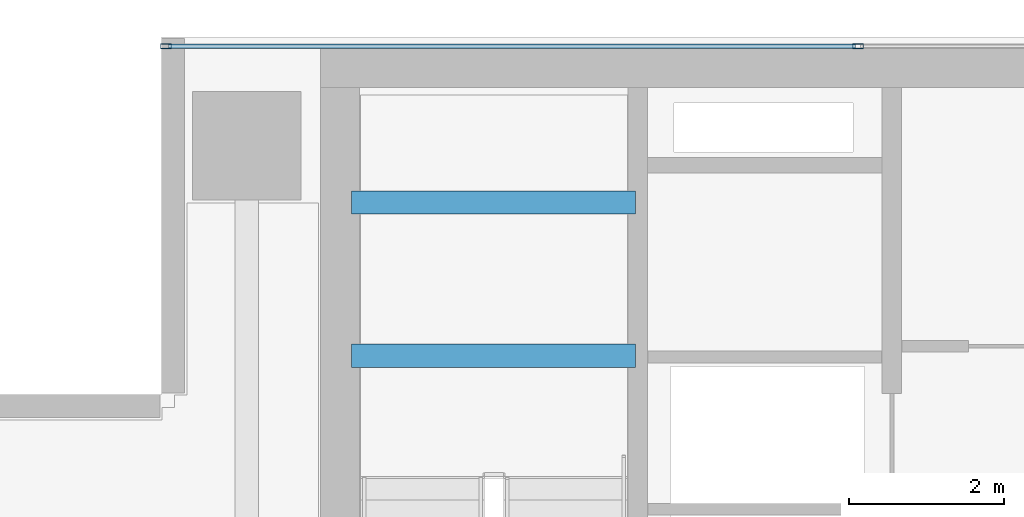
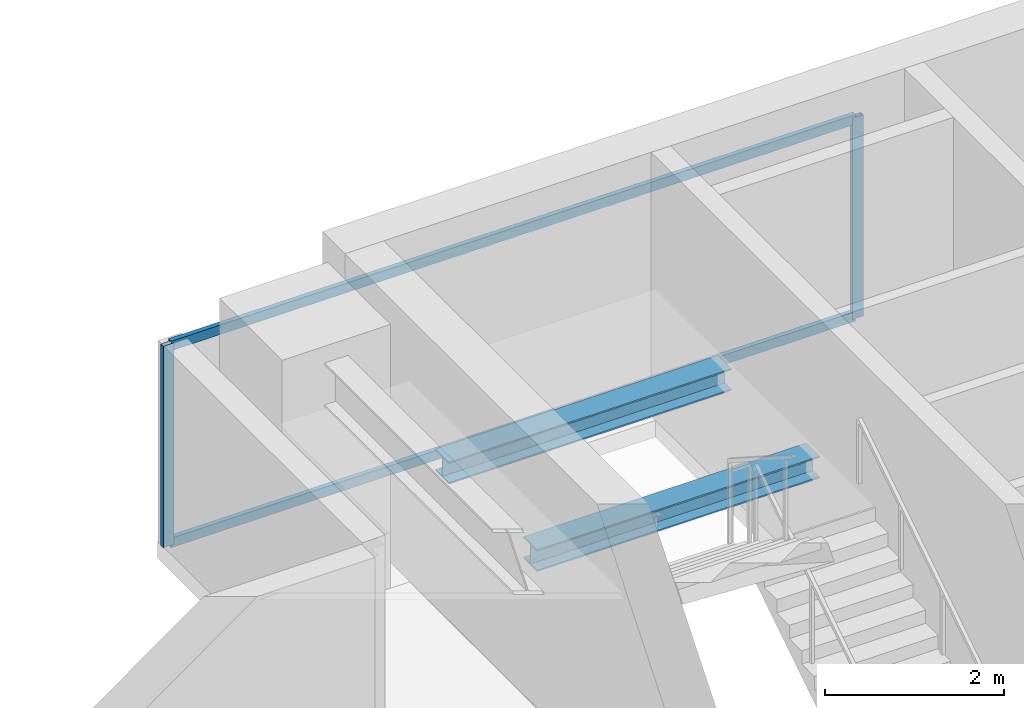
# One storey, part 15 of 26: 4 members, 2 beams, 1 element without a shape of its own.
"""IFC4 building model written with IfcOpenShell, lengths in metres."""

import ifcopenshell
import ifcopenshell.guid

model = None  # the IFC model being written
_history = None  # IfcOwnerHistory: only IFC2X3 demands one
_inside = {}  # id of a spatial element -> (the spatial element, [elements in it])
_under = {}  # id of a project, library or spatial element -> (it, [spatial elements below it])
_declared = {}  # id of a project -> (the project, [libraries it declares])
_typed = {}  # id of a type object -> (the type object, [elements of that type])
_made_of = {}  # id of a material, layer set ... -> (it, [elements and type objects made of it])


def new_model(schema):
    """Start an empty IFC model of exactly this schema.

    Asked for "IFC4X3", IfcOpenShell would pick the latest addendum, in which some entities
    have other attributes; the version numbers below select the first issue.
    IFC2X3 requires an IfcOwnerHistory on every rooted entity: one is made here for all.
    """
    global model, _history
    if schema == "IFC4X3":
        model = ifcopenshell.file(schema_version=(4, 3, 0, 0))
    else:
        model = ifcopenshell.file(schema=schema)
    _inside.clear()
    _under.clear()
    _declared.clear()
    _typed.clear()
    _made_of.clear()
    _history = None
    if model.schema == "IFC2X3":
        org = make("IfcOrganization", Name="unknown")
        user = make(
            "IfcPersonAndOrganization",
            ThePerson=make("IfcPerson", FamilyName="unknown"),
            TheOrganization=org,
        )
        app = make(
            "IfcApplication",
            ApplicationDeveloper=org,
            Version="unknown",
            ApplicationFullName="unknown",
            ApplicationIdentifier="unknown",
        )
        _history = make(
            "IfcOwnerHistory",
            OwningUser=user,
            OwningApplication=app,
            ChangeAction="ADDED",
            CreationDate=0,
        )
    return model


def make(cls, **values):
    """One entity of the class cls with the attributes given. An attribute that is None is left unset."""
    return model.create_entity(
        cls, **{name: value for name, value in values.items() if value is not None}
    )


def rooted(cls, **values):
    """An entity with a GlobalId (a new one), such as an element, a storey or a relation."""
    return make(cls, GlobalId=ifcopenshell.guid.new(), OwnerHistory=_history, **values)


def si_unit(unit_type, name, prefix=None):
    """IfcSIUnit, for example si_unit("LENGTHUNIT", "METRE", prefix="MILLI")."""
    return make("IfcSIUnit", UnitType=unit_type, Prefix=prefix, Name=name)


def assignment(units):
    """IfcUnitAssignment: the units of a project."""
    return None if units is None else make("IfcUnitAssignment", Units=units)


def point(xyz):
    """IfcCartesianPoint."""
    return None if xyz is None else make("IfcCartesianPoint", Coordinates=xyz)


def direction(xyz):
    """IfcDirection."""
    return None if xyz is None else make("IfcDirection", DirectionRatios=xyz)


def frame(location, z_axis=None, x_axis=None):
    """IfcAxis2Placement3D, a coordinate frame: its origin and axes. An axis left out is left unset."""
    return make(
        "IfcAxis2Placement3D",
        Location=point(location),
        Axis=direction(z_axis),
        RefDirection=direction(x_axis),
    )


def frame_2d(location, x_axis=None):
    """IfcAxis2Placement2D, a coordinate frame in the plane: its origin and x axis."""
    return make(
        "IfcAxis2Placement2D", Location=point(location), RefDirection=direction(x_axis)
    )


def origin():
    """The frame at (0, 0, 0) with its axes left unset."""
    return frame((0.0, 0.0, 0.0))


def origin_2d():
    """The frame at (0, 0) in the plane with its x axis left unset."""
    return frame_2d((0.0, 0.0))


def place(relative_to, where):
    """IfcLocalPlacement: puts the frame where relative to a parent placement (None: the world)."""
    return make(
        "IfcLocalPlacement", PlacementRelTo=relative_to, RelativePlacement=where
    )


def context(
    kind, dimensions, precision=None, world=None, true_north=None, identifier=None
):
    """IfcGeometricRepresentationContext, for example the 3D "Model" context."""
    return make(
        "IfcGeometricRepresentationContext",
        ContextIdentifier=identifier,
        ContextType=kind,
        CoordinateSpaceDimension=dimensions,
        Precision=precision,
        WorldCoordinateSystem=world,
        TrueNorth=true_north,
    )


def subcontext(parent, identifier, kind, view, scale=None):
    """IfcGeometricRepresentationSubContext, for example "Body" below "Model"."""
    return make(
        "IfcGeometricRepresentationSubContext",
        ContextIdentifier=identifier,
        ContextType=kind,
        ParentContext=parent,
        TargetScale=scale,
        TargetView=view,
    )


def project(units=None, contexts=None):
    """IfcProject with its units and contexts."""
    return rooted(
        "IfcProject",
        Name="project",
        RepresentationContexts=contexts,
        UnitsInContext=assignment(units),
    )


def spatial(cls, under=None, at=None, **own):
    """A site, building, storey or space (cls), placed at a placement, below another one or the project."""
    s = rooted(cls, ObjectPlacement=at, **own)
    if under is not None:
        _under.setdefault(under.id(), (under, []))[1].append(s)
    return s


def profile(cls, at=None, kind="AREA", **sizes):
    """A parametric profile (cls). Its sizes go by their IFC names, for example OverallWidth=200.0."""
    return make(cls, ProfileType=kind, Position=at, **sizes)


def hollow_rectangle(**sizes):
    """IfcRectangleHollowProfileDef."""
    return profile("IfcRectangleHollowProfileDef", **sizes)


def i_section(**sizes):
    """IfcIShapeProfileDef."""
    return profile("IfcIShapeProfileDef", **sizes)


def extrude(swept, where, along, depth):
    """IfcExtrudedAreaSolid: the profile swept, set in the frame where, extruded along a direction by depth."""
    return make(
        "IfcExtrudedAreaSolid",
        SweptArea=swept,
        Position=where,
        ExtrudedDirection=direction(along),
        Depth=depth,
    )


def shape(context_of_items, identifier, shape_type, items):
    """IfcShapeRepresentation: the items that make up one representation, for example the "Body"."""
    return make(
        "IfcShapeRepresentation",
        ContextOfItems=context_of_items,
        RepresentationIdentifier=identifier,
        RepresentationType=shape_type,
        Items=items,
    )


def source(mapping_origin, context_of_items, identifier, shape_type, items):
    """IfcRepresentationMap: a shape defined once, which mapped items show again and again."""
    return make(
        "IfcRepresentationMap",
        MappingOrigin=mapping_origin,
        MappedRepresentation=shape(context_of_items, identifier, shape_type, items),
    )


def transform(
    local_origin,
    x_axis=None,
    y_axis=None,
    z_axis=None,
    scale=None,
    scale2=None,
    scale3=None,
    uniform=True,
):
    """IfcCartesianTransformationOperator3D, or its non-uniform kind. x_axis, y_axis, z_axis: its Axis1, 2, 3."""
    if uniform:
        return make(
            "IfcCartesianTransformationOperator3D",
            Axis1=direction(x_axis),
            Axis2=direction(y_axis),
            LocalOrigin=point(local_origin),
            Scale=scale,
            Axis3=direction(z_axis),
        )
    return make(
        "IfcCartesianTransformationOperator3DnonUniform",
        Axis1=direction(x_axis),
        Axis2=direction(y_axis),
        LocalOrigin=point(local_origin),
        Scale=scale,
        Axis3=direction(z_axis),
        Scale2=scale2,
        Scale3=scale3,
    )


def mapped(mapping_source, mapping_target):
    """IfcMappedItem: shows the shape of a source again, moved by a transform."""
    return make(
        "IfcMappedItem", MappingSource=mapping_source, MappingTarget=mapping_target
    )


def material(Name=None, Category=None):
    """IfcMaterial."""
    return make("IfcMaterial", Name=Name, Category=Category)


def layer(
    of_material, thickness, ventilated=None, Name=None, Category=None, Priority=None
):
    """IfcMaterialLayer: one layer of a wall or slab, of a material (None: an air gap)."""
    return make(
        "IfcMaterialLayer",
        Material=of_material,
        LayerThickness=thickness,
        IsVentilated=ventilated,
        Name=Name,
        Category=Category,
        Priority=Priority,
    )


def layer_set(layers, Name=None):
    """IfcMaterialLayerSet."""
    return make("IfcMaterialLayerSet", MaterialLayers=layers, LayerSetName=Name)


def material_profile(
    of_material, cross_section, Name=None, Category=None, Priority=None
):
    """IfcMaterialProfile: a cross section and its material."""
    return make(
        "IfcMaterialProfile",
        Name=Name,
        Material=of_material,
        Profile=cross_section,
        Priority=Priority,
        Category=Category,
    )


def profile_set(profiles, Name=None, composite=None):
    """IfcMaterialProfileSet."""
    return make(
        "IfcMaterialProfileSet",
        Name=Name,
        MaterialProfiles=profiles,
        CompositeProfile=composite,
    )


def made_of(thing, what):
    """Note that an element or type object is made of a material, layer set ...; save() writes the relation."""
    if what is not None:
        _made_of.setdefault(what.id(), (what, []))[1].append(thing)
    return thing


def type_object(cls, material=None, **own):
    """A type object (cls), such as IfcWallType, which elements share."""
    return made_of(rooted(cls, **own), material)


def element(
    cls,
    number,
    at=None,
    inside=None,
    cuts=None,
    type_object=None,
    material=None,
    context=None,
    identifier="Body",
    shape_type=None,
    held_by="IfcProductDefinitionShape",
    body=None,
    shapes=None,
    **own,
):
    """One element of the class cls, such as IfcWall. Its Tag is "e" and its number.

    at: its placement. inside: the storey or other place that contains it. cuts: it is an
    opening in that element (IfcRelVoidsElement). A single representation is given by context,
    identifier, shape_type and body (its items); several are given by shapes. held_by: the class
    of the entity that holds the representations. save() writes the other relations.
    """
    e = rooted(cls, Tag="e%d" % number, ObjectPlacement=at, **own)
    if body is not None:
        shapes = [shape(context, identifier, shape_type, body)]
    if shapes is not None:
        e.Representation = make(held_by, Representations=shapes)
    if inside is not None:
        _inside.setdefault(inside.id(), (inside, []))[1].append(e)
    if cuts is not None:
        rooted(
            "IfcRelVoidsElement", RelatingBuildingElement=cuts, RelatedOpeningElement=e
        )
    if type_object is not None:
        _typed.setdefault(type_object.id(), (type_object, []))[1].append(e)
    return made_of(e, material)


def aggregate(whole, parts):
    """IfcRelAggregates: a whole, such as a stair, and the parts it consists of."""
    return rooted("IfcRelAggregates", RelatingObject=whole, RelatedObjects=parts)


def save(model, path):
    """Write the relations noted so far, then the file.

    IfcRelAggregates (storeys below a building ...), IfcRelContainedInSpatialStructure (elements
    in a storey), IfcRelDefinesByType, IfcRelAssociatesMaterial and IfcRelDeclares: one each for
    every whole, place, type object, material and project.
    """
    for whole, parts in _under.values():
        aggregate(whole, parts)
    for where, things in _inside.values():
        rooted(
            "IfcRelContainedInSpatialStructure",
            RelatedElements=things,
            RelatingStructure=where,
        )
    for kind, things in _typed.values():
        rooted("IfcRelDefinesByType", RelatedObjects=things, RelatingType=kind)
    for what, things in _made_of.values():
        rooted("IfcRelAssociatesMaterial", RelatedObjects=things, RelatingMaterial=what)
    for by, libraries in _declared.values():
        rooted("IfcRelDeclares", RelatingContext=by, RelatedDefinitions=libraries)
    model.write(path)


model = new_model("IFC4")

# Units and contexts
model_context = context("Model", 3, precision=1e-05, world=origin(), true_north=direction((0.0, 1.0)))
body_context = subcontext(model_context, "Body", "Model", "MODEL_VIEW")
ifc_project = project(units=[si_unit("LENGTHUNIT", "METRE"), si_unit("AREAUNIT", "SQUARE_METRE"), si_unit("VOLUMEUNIT", "CUBIC_METRE"), si_unit("PLANEANGLEUNIT", "RADIAN"), si_unit("MASSUNIT", "GRAM", prefix="KILO")], contexts=[model_context])

# Site, building, storey
site_placement = place(None, origin())
site = spatial("IfcSite", under=ifc_project, at=site_placement, CompositionType="ELEMENT")
building_placement = place(site_placement, origin())
building = spatial("IfcBuilding", under=site, at=building_placement, Name="Sumidabori Civic Tower", CompositionType="ELEMENT")
storey_placement = place(building_placement, frame((0.0, 0.0, 254.0)))
storey = spatial("IfcBuildingStorey", under=building, at=storey_placement, Name="L66", CompositionType="ELEMENT", Elevation=254.0)

# Beams
ifc_material_1 = material(Name="Steel SN490", Category="steel")
ifc_material_profile_1 = material_profile(ifc_material_1, i_section(OverallWidth=0.300048828125, OverallDepth=0.300048828125, WebThickness=0.010986328125, FlangeThickness=0.01904296875, at=origin_2d()), Name="HE 300 B")
ifc_profile_set_1 = profile_set([ifc_material_profile_1], Name="Steel SN490")
beam_type = type_object("IfcBeamType", Name="BM-LDG-300", PredefinedType="BEAM", material=ifc_profile_set_1)
shared_shape_1 = source(origin(), body_context, "Body", "SweptSolid", [
    extrude(i_section(OverallWidth=0.300048828125, OverallDepth=0.300048828125, WebThickness=0.010986328125, FlangeThickness=0.01904296875, at=origin_2d()), origin(), (0.0, 0.0, 1.0), 3.64990234375),
])
for number, where, z_axis, x_axis, name in (
    (1, (-15.449951171875, 20.09765625, 1.449951171875), (1.0, 0.0, 0.0), (0.0, 1.0, 0.0), "Stair ST-1 Landing Support Beam L66-1A"),
    (2, (-15.449951171875, 22.069580078125, 1.449951171875), (1.0, 0.0, 0.0), (0.0, 1.0, 0.0), "Stair ST-1 Landing Trimmer Beam L66-1B"),
):
    element("IfcBeam", number, at=place(storey_placement, frame(where, z_axis=z_axis, x_axis=x_axis)), inside=storey, type_object=beam_type, Name=name, PredefinedType="BEAM", context=body_context, shape_type="MappedRepresentation", body=[
        mapped(shared_shape_1, transform((0.0, 0.0, 0.0), x_axis=(1.0, 0.0, 0.0), y_axis=(0.0, 1.0, 0.0), z_axis=(0.0, 0.0, 1.0), scale=1.0)),
    ])

# Curtain wall, members
ifc_material_2 = material(Name="Anodised Bronze Aluminium AW-6063-T6", Category="aluminium")
ifc_layer = layer(ifc_material_2, 0.179931640625, Name="Anodised Bronze Aluminium AW-6063-T6")
ifc_layer_set = layer_set([ifc_layer], Name="Anodised Bronze Aluminium AW-6063-T6")
curtain_wall_type = type_object("IfcCurtainWallType", Name="CW-SYS-5", PredefinedType="NOTDEFINED", material=ifc_layer_set)
curtain_wall_placement = place(storey_placement, origin())
curtain_wall = element("IfcCurtainWall", 3, at=curtain_wall_placement, inside=storey, type_object=curtain_wall_type, Name="Curtain Wall CW:L66:R07", PredefinedType="NOTDEFINED")
ifc_material_profile_2 = material_profile(ifc_material_2, hollow_rectangle(XDim=0.06005859375, YDim=0.139892578125, WallThickness=0.0048828125, at=origin_2d()), Name="ALU MULLION 140x60")
ifc_profile_set_2 = profile_set([ifc_material_profile_2], Name="Anodised Bronze Aluminium AW-6063-T6")
member_type_1 = type_object("IfcMemberType", Name="CW-MUL-140", PredefinedType="MULLION", material=ifc_profile_set_2)
shared_shape_2 = source(origin(), body_context, "Body", "SweptSolid", [
    extrude(hollow_rectangle(XDim=0.06005859375, YDim=0.139892578125, WallThickness=0.0048828125, at=origin_2d()), origin(), (0.0, 0.0, 1.0), 2.75),
])
member_1_placement = place(storey_placement, frame((-8.93505859375, 24.080078125, 0.0), z_axis=(0.0, 0.0, 1.0), x_axis=(0.0, -1.0, 0.0)))
member_1 = element("IfcMember", 4, at=member_1_placement, type_object=member_type_1, Name="CW-5 mullion 4", PredefinedType="MULLION", context=body_context, shape_type="MappedRepresentation", body=[
    mapped(shared_shape_2, transform((0.0, 0.0, 0.0), x_axis=(1.0, 0.0, 0.0), y_axis=(0.0, 1.0, 0.0), z_axis=(0.0, 0.0, 1.0), scale=1.0)),
])
member_2_placement = place(storey_placement, frame((-17.840087890625, 24.080078125, 0.0), z_axis=(0.0, 0.0, 1.0), x_axis=(0.0, -1.0, 0.0)))
member_2 = element("IfcMember", 5, at=member_2_placement, type_object=member_type_1, Name="CW-5 mullion 5", PredefinedType="MULLION", context=body_context, shape_type="MappedRepresentation", body=[
    mapped(shared_shape_2, transform((0.0, 0.0, 0.0), x_axis=(1.0, 0.0, 0.0), y_axis=(0.0, 1.0, 0.0), z_axis=(0.0, 0.0, 1.0), scale=1.0)),
])
ifc_material_profile_3 = material_profile(ifc_material_2, hollow_rectangle(XDim=0.06005859375, YDim=0.1298828125, WallThickness=0.0048828125, at=origin_2d()), Name="ALU TRANSOM 130x60")
ifc_profile_set_3 = profile_set([ifc_material_profile_3], Name="Anodised Bronze Aluminium AW-6063-T6")
member_type_2 = type_object("IfcMemberType", Name="CW-TRN-130", PredefinedType="USERDEFINED", material=ifc_profile_set_3)
shared_shape_3 = source(origin(), body_context, "Body", "SweptSolid", [
    extrude(hollow_rectangle(XDim=0.06005859375, YDim=0.1298828125, WallThickness=0.0048828125, at=origin_2d()), origin(), (0.0, 0.0, 1.0), 8.844970703125),
])
member_3_placement = place(storey_placement, frame((-8.965087890625, 24.080078125, 0.030029296875), z_axis=(-1.0, 0.0, 0.0), x_axis=(0.0, -1.0, 0.0)))
member_3 = element("IfcMember", 6, at=member_3_placement, type_object=member_type_2, Name="CW-5 transom 4.1", ObjectType="TRANSOM", PredefinedType="USERDEFINED", context=body_context, shape_type="MappedRepresentation", body=[
    mapped(shared_shape_3, transform((0.0, 0.0, 0.0), x_axis=(1.0, 0.0, 0.0), y_axis=(0.0, 1.0, 0.0), z_axis=(0.0, 0.0, 1.0), scale=1.0)),
])
member_4_placement = place(storey_placement, frame((-8.965087890625, 24.080078125, 2.719970703125), z_axis=(-1.0, 0.0, 0.0), x_axis=(0.0, -1.0, 0.0)))
member_4 = element("IfcMember", 7, at=member_4_placement, type_object=member_type_2, Name="CW-5 transom 4.2", ObjectType="TRANSOM", PredefinedType="USERDEFINED", context=body_context, shape_type="MappedRepresentation", body=[
    mapped(shared_shape_3, transform((0.0, 0.0, 0.0), x_axis=(1.0, 0.0, 0.0), y_axis=(0.0, 1.0, 0.0), z_axis=(0.0, 0.0, 1.0), scale=1.0)),
])
aggregate(curtain_wall, [member_1, member_2, member_3, member_4])

save(model, "model.ifc")
